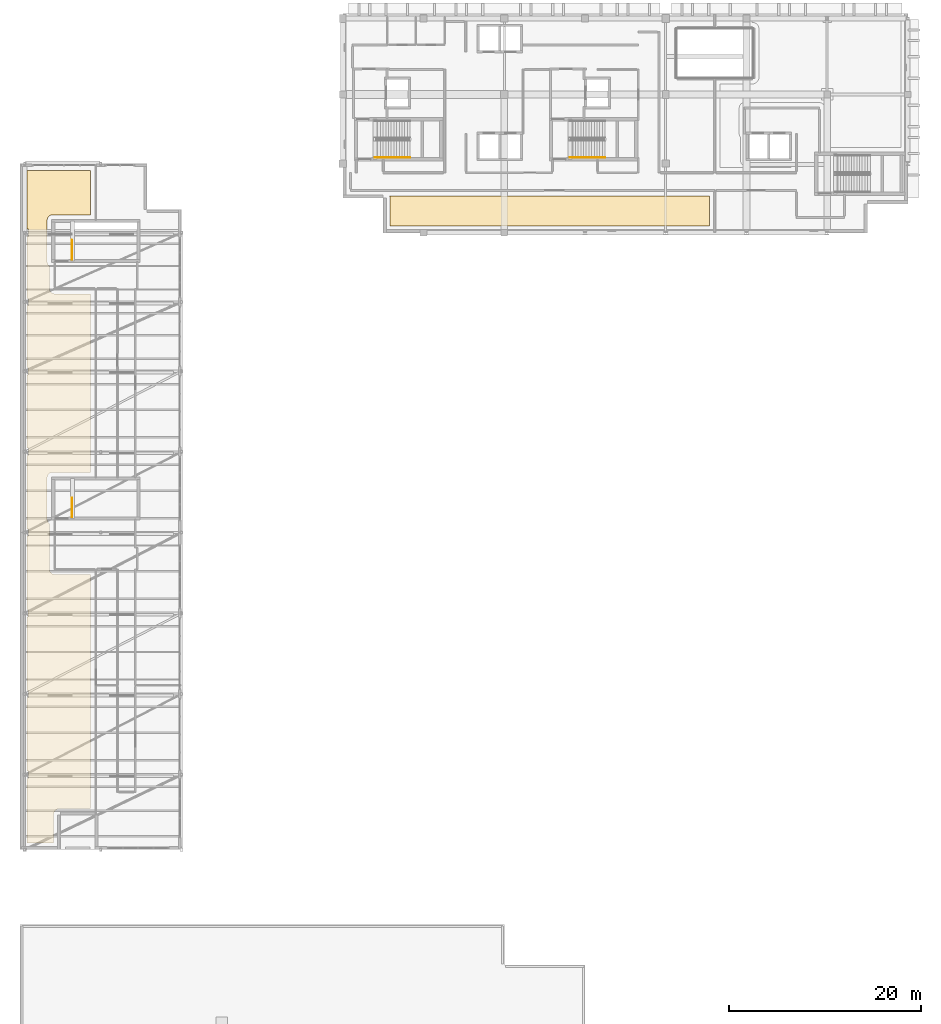
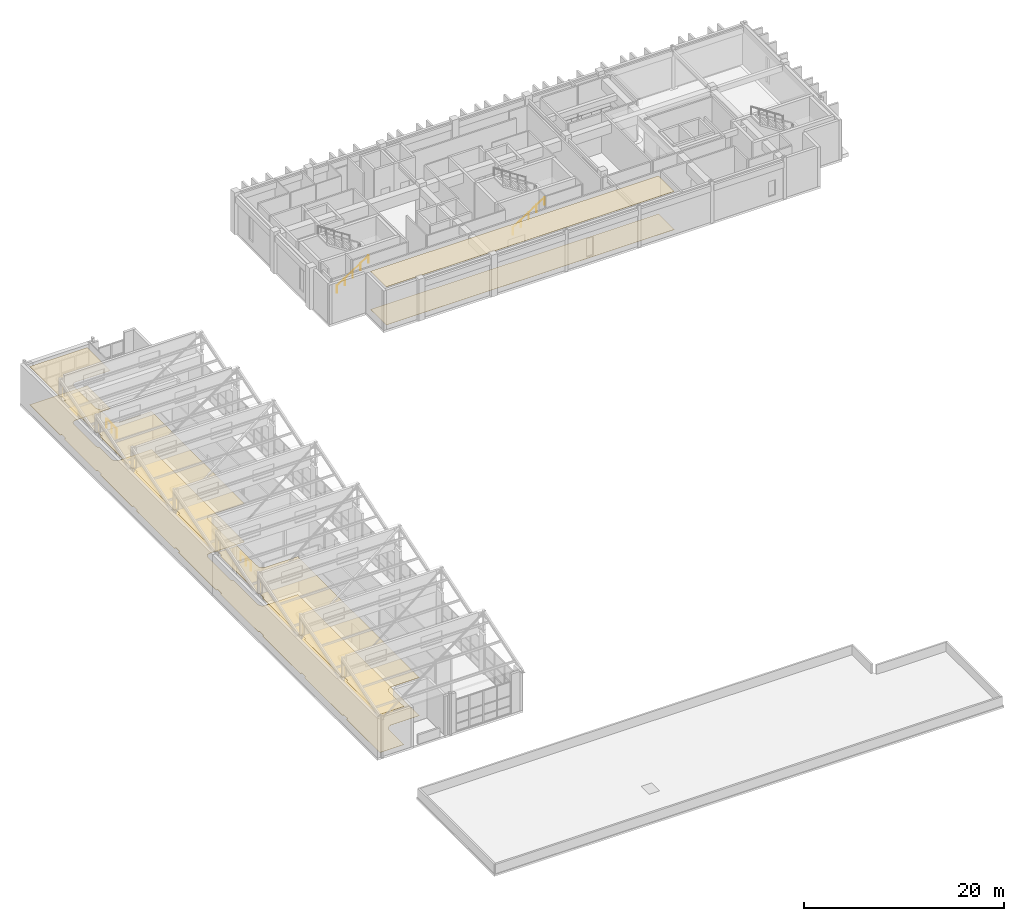
# One storey, part 32 of 34: 4 coverings, 4 railings.
"""IFC4 building model written with IfcOpenShell, lengths in metres."""

from ifc_helpers import new_model, si_unit, direction, frame, origin, origin_2d, place, context, subcontext, project, spatial, polyline, circle, outline, extrude, material, layer, layer_set, type_object, element, save


model = new_model("IFC4")

# Units and contexts
model_context = context("Model", 3, precision=1e-05, world=origin(), true_north=direction((0.0, 1.0)))
body_context = subcontext(model_context, "Body", "Model", "MODEL_VIEW")
ifc_project = project(units=[si_unit("LENGTHUNIT", "METRE"), si_unit("AREAUNIT", "SQUARE_METRE"), si_unit("VOLUMEUNIT", "CUBIC_METRE"), si_unit("PLANEANGLEUNIT", "RADIAN"), si_unit("MASSUNIT", "GRAM", prefix="KILO")], contexts=[model_context])

# Site, building, storey
site_placement = place(None, origin())
site = spatial("IfcSite", under=ifc_project, at=site_placement, CompositionType="ELEMENT")
building_placement = place(site_placement, origin())
building = spatial("IfcBuilding", under=site, at=building_placement, Name="Quendrovan Civic Courthouse", CompositionType="ELEMENT")
storey_placement = place(building_placement, frame((0.0, 0.0, 25.5)))
storey = spatial("IfcBuildingStorey", under=building, at=storey_placement, Name="L06", CompositionType="ELEMENT", Elevation=25.5)

# Coverings
ifc_material_1 = material(Name="Perforated Western Red Cedar and mineral acoustic ceiling")
ifc_layer_1 = layer(ifc_material_1, 0.034912109375, Name="Perforated Western Red Cedar and mineral acoustic ceiling")
ifc_layer_set_1 = layer_set([ifc_layer_1], Name="Perforated Western Red Cedar and mineral acoustic ceiling")
covering_type_1 = type_object("IfcCoveringType", Name="COV-CEIL-ACOUSTIC", PredefinedType="CEILING", material=ifc_layer_set_1)
covering_1_placement = place(storey_placement, frame((0.0, 0.0, 4.64501953125)))
element("IfcCovering", 1, at=covering_1_placement, inside=storey, type_object=covering_type_1, Name="L06 Sawtooth Law Library Reading Room Acoustic Ceiling", PredefinedType="CEILING", context=body_context, shape_type="SweptSolid", body=[
    extrude(outline(polyline([(3.5546875, 27.2958984375), (3.534423828125, 27.24658203125), (3.529052734375, 27.231689453125), (3.51318359375, 27.1796875), (3.509521484375, 27.16455078125), (3.4990234375, 27.11181640625), (3.496826171875, 27.096435546875), (3.491455078125, 27.043701171875), (3.49072265625, 27.028076171875), (3.489990234375, 27.0), (3.489990234375, 24.110107421875), (0.7099609375, 24.110107421875), (0.7099609375, 30.824951171875), (0.875, 30.824951171875), (0.875, 31.574951171875), (0.7099609375, 31.574951171875), (0.7099609375, 39.21337890625), (0.886474609375, 39.21337890625), (0.886474609375, 39.986572265625), (0.7099609375, 39.986572265625), (0.7099609375, 47.60009765625), (0.85009765625, 47.60009765625), (0.85009765625, 48.39990234375), (0.7099609375, 48.39990234375), (0.7099609375, 56.02490234375), (0.875, 56.02490234375), (0.875, 56.77490234375), (0.7099609375, 56.77490234375), (0.7099609375, 64.41357421875), (0.886474609375, 64.41357421875), (0.886474609375, 65.1865234375), (0.7099609375, 65.1865234375), (0.7099609375, 72.800048828125), (0.85009765625, 72.800048828125), (0.85009765625, 73.60009765625), (0.7099609375, 73.60009765625), (0.7099609375, 80.02490234375), (0.875, 80.02490234375), (0.875, 80.77490234375), (0.7099609375, 80.77490234375), (0.7099609375, 87.21337890625), (0.886474609375, 87.21337890625), (0.886474609375, 87.986572265625), (0.7099609375, 87.986572265625), (0.7099609375, 94.090087890625), (7.35009765625, 94.090087890625), (7.35009765625, 89.469970703125), (3.3798828125, 89.469970703125), (3.326171875, 89.46728515625), (3.272705078125, 89.45947265625), (3.22021484375, 89.4462890625), (3.16943359375, 89.427978515625), (3.12060546875, 89.405029296875), (3.074462890625, 89.377197265625), (3.031005859375, 89.34521484375), (2.9912109375, 89.308837890625), (2.954833984375, 89.268798828125), (2.922607421875, 89.2255859375), (2.89501953125, 89.17919921875), (2.871826171875, 89.130615234375), (2.853759765625, 89.07958984375), (2.840576171875, 89.02734375), (2.83251953125, 88.973876953125), (2.830078125, 88.919921875), (2.830078125, 84.580078125), (2.83251953125, 84.526123046875), (2.840576171875, 84.47265625), (2.853759765625, 84.42041015625), (2.871826171875, 84.369384765625), (2.89501953125, 84.32080078125), (2.922607421875, 84.2744140625), (2.954833984375, 84.231201171875), (2.9912109375, 84.191162109375), (3.031005859375, 84.15478515625), (3.050048828125, 84.140869140625), (3.050048828125, 81.800048828125), (3.052490234375, 81.74609375), (3.060546875, 81.692626953125), (3.07373046875, 81.640380859375), (3.091796875, 81.589599609375), (3.114990234375, 81.540771484375), (3.142578125, 81.494384765625), (3.1748046875, 81.451171875), (3.211181640625, 81.4111328125), (3.251220703125, 81.374755859375), (3.29443359375, 81.3427734375), (3.3408203125, 81.31494140625), (3.389404296875, 81.2919921875), (3.440185546875, 81.273681640625), (3.49267578125, 81.260498046875), (3.546142578125, 81.252685546875), (3.60009765625, 81.25), (7.35009765625, 81.25), (7.35009765625, 62.669921875), (3.3798828125, 62.669921875), (3.326171875, 62.66748046875), (3.272705078125, 62.659423828125), (3.22021484375, 62.646240234375), (3.16943359375, 62.628173828125), (3.12060546875, 62.60498046875), (3.074462890625, 62.577392578125), (3.031005859375, 62.545166015625), (2.9912109375, 62.5087890625), (2.954833984375, 62.468994140625), (2.922607421875, 62.425537109375), (2.89501953125, 62.37939453125), (2.871826171875, 62.33056640625), (2.853759765625, 62.27978515625), (2.840576171875, 62.227294921875), (2.83251953125, 62.173828125), (2.830078125, 62.1201171875), (2.830078125, 57.780029296875), (2.83251953125, 57.72607421875), (2.840576171875, 57.672607421875), (2.853759765625, 57.620361328125), (2.871826171875, 57.569580078125), (2.89501953125, 57.520751953125), (2.922607421875, 57.474365234375), (2.954833984375, 57.43115234375), (2.9912109375, 57.39111328125), (3.031005859375, 57.354736328125), (3.050048828125, 57.3408203125), (3.050048828125, 52.60009765625), (3.052490234375, 52.546142578125), (3.060546875, 52.49267578125), (3.07373046875, 52.440185546875), (3.091796875, 52.389404296875), (3.114990234375, 52.3408203125), (3.142578125, 52.29443359375), (3.1748046875, 52.251220703125), (3.211181640625, 52.211181640625), (3.251220703125, 52.1748046875), (3.29443359375, 52.142578125), (3.3408203125, 52.114990234375), (3.389404296875, 52.091796875), (3.440185546875, 52.07373046875), (3.49267578125, 52.060546875), (3.546142578125, 52.052490234375), (3.60009765625, 52.050048828125), (7.35009765625, 52.050048828125), (7.35009765625, 27.7099609375), (4.199951171875, 27.7099609375), (4.172119140625, 27.709228515625), (4.15625, 27.70849609375), (4.103515625, 27.703125), (4.088134765625, 27.700927734375), (4.035400390625, 27.6904296875), (4.020263671875, 27.686767578125), (3.96826171875, 27.6708984375), (3.953369140625, 27.66552734375), (3.904052734375, 27.645263671875), (3.889892578125, 27.638427734375), (3.841552734375, 27.61279296875), (3.828125, 27.6044921875), (3.784423828125, 27.575439453125), (3.77197265625, 27.566162109375), (3.7275390625, 27.52978515625), (3.7158203125, 27.51904296875), (3.680908203125, 27.484130859375), (3.67041015625, 27.472412109375), (3.6337890625, 27.427978515625), (3.62451171875, 27.41552734375), (3.595458984375, 27.371826171875), (3.58740234375, 27.3583984375), (3.5615234375, 27.31005859375), (3.5546875, 27.2958984375)])), origin(), (0.0, 0.0, 1.0), 0.034912109375),
])
covering_2_placement = place(storey_placement, frame((0.0, 0.0, 4.64501953125)))
element("IfcCovering", 2, at=covering_2_placement, inside=storey, type_object=covering_type_1, Name="L06 Family Courtroom Acoustic Ceiling", PredefinedType="CEILING", context=body_context, shape_type="SweptSolid", body=[
    extrude(outline(polyline([(38.50927734375, 91.22802734375), (38.508544921875, 91.24365234375), (38.503173828125, 91.29638671875), (38.5009765625, 91.31201171875), (38.490478515625, 91.364501953125), (38.48681640625, 91.3798828125), (38.470947265625, 91.431884765625), (38.465576171875, 91.446533203125), (38.464111328125, 91.449951171875), (71.75, 91.449951171875), (71.75, 88.31005859375), (38.510009765625, 88.31005859375), (38.510009765625, 91.199951171875), (38.50927734375, 91.22802734375)])), origin(), (0.0, 0.0, 1.0), 0.034912109375),
])
ifc_material_2 = material(Name="Honed Dominican coralina limestone flooring", Category="masonry")
ifc_layer_2 = layer(ifc_material_2, 0.030029296875, Name="Honed Dominican coralina limestone flooring")
ifc_layer_set_2 = layer_set([ifc_layer_2], Name="Honed Dominican coralina limestone flooring")
covering_type_2 = type_object("IfcCoveringType", Name="COV-FLOR-STONE", PredefinedType="FLOORING", material=ifc_layer_set_2)
covering_3_placement = place(storey_placement, origin())
element("IfcCovering", 3, at=covering_3_placement, inside=storey, type_object=covering_type_2, Name="L06 Sawtooth Law Library Reading Room Finish Flooring", PredefinedType="FLOORING", context=body_context, shape_type="SweptSolid", body=[
    extrude(outline(polyline([(3.5546875, 27.2958984375), (3.534423828125, 27.24658203125), (3.529052734375, 27.231689453125), (3.51318359375, 27.1796875), (3.509521484375, 27.16455078125), (3.4990234375, 27.11181640625), (3.496826171875, 27.096435546875), (3.491455078125, 27.043701171875), (3.49072265625, 27.028076171875), (3.489990234375, 27.0), (3.489990234375, 24.110107421875), (0.7099609375, 24.110107421875), (0.7099609375, 30.824951171875), (0.875, 30.824951171875), (0.875, 31.574951171875), (0.7099609375, 31.574951171875), (0.7099609375, 39.21337890625), (0.886474609375, 39.21337890625), (0.886474609375, 39.986572265625), (0.7099609375, 39.986572265625), (0.7099609375, 47.60009765625), (0.85009765625, 47.60009765625), (0.85009765625, 48.39990234375), (0.7099609375, 48.39990234375), (0.7099609375, 56.02490234375), (0.875, 56.02490234375), (0.875, 56.77490234375), (0.7099609375, 56.77490234375), (0.7099609375, 64.41357421875), (0.886474609375, 64.41357421875), (0.886474609375, 65.1865234375), (0.7099609375, 65.1865234375), (0.7099609375, 72.800048828125), (0.85009765625, 72.800048828125), (0.85009765625, 73.60009765625), (0.7099609375, 73.60009765625), (0.7099609375, 80.02490234375), (0.875, 80.02490234375), (0.875, 80.77490234375), (0.7099609375, 80.77490234375), (0.7099609375, 87.21337890625), (0.886474609375, 87.21337890625), (0.886474609375, 87.986572265625), (0.7099609375, 87.986572265625), (0.7099609375, 94.090087890625), (7.35009765625, 94.090087890625), (7.35009765625, 89.469970703125), (3.3798828125, 89.469970703125), (3.326171875, 89.46728515625), (3.272705078125, 89.45947265625), (3.22021484375, 89.4462890625), (3.16943359375, 89.427978515625), (3.12060546875, 89.405029296875), (3.074462890625, 89.377197265625), (3.031005859375, 89.34521484375), (2.9912109375, 89.308837890625), (2.954833984375, 89.268798828125), (2.922607421875, 89.2255859375), (2.89501953125, 89.17919921875), (2.871826171875, 89.130615234375), (2.853759765625, 89.07958984375), (2.840576171875, 89.02734375), (2.83251953125, 88.973876953125), (2.830078125, 88.919921875), (2.830078125, 84.580078125), (2.83251953125, 84.526123046875), (2.840576171875, 84.47265625), (2.853759765625, 84.42041015625), (2.871826171875, 84.369384765625), (2.89501953125, 84.32080078125), (2.922607421875, 84.2744140625), (2.954833984375, 84.231201171875), (2.9912109375, 84.191162109375), (3.031005859375, 84.15478515625), (3.050048828125, 84.140869140625), (3.050048828125, 81.800048828125), (3.052490234375, 81.74609375), (3.060546875, 81.692626953125), (3.07373046875, 81.640380859375), (3.091796875, 81.589599609375), (3.114990234375, 81.540771484375), (3.142578125, 81.494384765625), (3.1748046875, 81.451171875), (3.211181640625, 81.4111328125), (3.251220703125, 81.374755859375), (3.29443359375, 81.3427734375), (3.3408203125, 81.31494140625), (3.389404296875, 81.2919921875), (3.440185546875, 81.273681640625), (3.49267578125, 81.260498046875), (3.546142578125, 81.252685546875), (3.60009765625, 81.25), (7.35009765625, 81.25), (7.35009765625, 62.669921875), (3.3798828125, 62.669921875), (3.326171875, 62.66748046875), (3.272705078125, 62.659423828125), (3.22021484375, 62.646240234375), (3.16943359375, 62.628173828125), (3.12060546875, 62.60498046875), (3.074462890625, 62.577392578125), (3.031005859375, 62.545166015625), (2.9912109375, 62.5087890625), (2.954833984375, 62.468994140625), (2.922607421875, 62.425537109375), (2.89501953125, 62.37939453125), (2.871826171875, 62.33056640625), (2.853759765625, 62.27978515625), (2.840576171875, 62.227294921875), (2.83251953125, 62.173828125), (2.830078125, 62.1201171875), (2.830078125, 57.780029296875), (2.83251953125, 57.72607421875), (2.840576171875, 57.672607421875), (2.853759765625, 57.620361328125), (2.871826171875, 57.569580078125), (2.89501953125, 57.520751953125), (2.922607421875, 57.474365234375), (2.954833984375, 57.43115234375), (2.9912109375, 57.39111328125), (3.031005859375, 57.354736328125), (3.050048828125, 57.3408203125), (3.050048828125, 52.60009765625), (3.052490234375, 52.546142578125), (3.060546875, 52.49267578125), (3.07373046875, 52.440185546875), (3.091796875, 52.389404296875), (3.114990234375, 52.3408203125), (3.142578125, 52.29443359375), (3.1748046875, 52.251220703125), (3.211181640625, 52.211181640625), (3.251220703125, 52.1748046875), (3.29443359375, 52.142578125), (3.3408203125, 52.114990234375), (3.389404296875, 52.091796875), (3.440185546875, 52.07373046875), (3.49267578125, 52.060546875), (3.546142578125, 52.052490234375), (3.60009765625, 52.050048828125), (7.35009765625, 52.050048828125), (7.35009765625, 27.7099609375), (4.199951171875, 27.7099609375), (4.172119140625, 27.709228515625), (4.15625, 27.70849609375), (4.103515625, 27.703125), (4.088134765625, 27.700927734375), (4.035400390625, 27.6904296875), (4.020263671875, 27.686767578125), (3.96826171875, 27.6708984375), (3.953369140625, 27.66552734375), (3.904052734375, 27.645263671875), (3.889892578125, 27.638427734375), (3.841552734375, 27.61279296875), (3.828125, 27.6044921875), (3.784423828125, 27.575439453125), (3.77197265625, 27.566162109375), (3.7275390625, 27.52978515625), (3.7158203125, 27.51904296875), (3.680908203125, 27.484130859375), (3.67041015625, 27.472412109375), (3.6337890625, 27.427978515625), (3.62451171875, 27.41552734375), (3.595458984375, 27.371826171875), (3.58740234375, 27.3583984375), (3.5615234375, 27.31005859375), (3.5546875, 27.2958984375)])), origin(), (0.0, 0.0, 1.0), 0.030029296875),
])
ifc_material_3 = material(Name="Solid oak courtroom parquet flooring")
ifc_layer_3 = layer(ifc_material_3, 0.02490234375, Name="Solid oak courtroom parquet flooring")
ifc_layer_set_3 = layer_set([ifc_layer_3], Name="Solid oak courtroom parquet flooring")
covering_type_3 = type_object("IfcCoveringType", Name="COV-FLOR-TIMBER", PredefinedType="FLOORING", material=ifc_layer_set_3)
covering_4_placement = place(storey_placement, origin())
element("IfcCovering", 4, at=covering_4_placement, inside=storey, type_object=covering_type_3, Name="L06 Family Courtroom Finish Flooring", PredefinedType="FLOORING", context=body_context, shape_type="SweptSolid", body=[
    extrude(outline(polyline([(38.50927734375, 91.22802734375), (38.508544921875, 91.24365234375), (38.503173828125, 91.29638671875), (38.5009765625, 91.31201171875), (38.490478515625, 91.364501953125), (38.48681640625, 91.3798828125), (38.470947265625, 91.431884765625), (38.465576171875, 91.446533203125), (38.464111328125, 91.449951171875), (71.75, 91.449951171875), (71.75, 88.31005859375), (38.510009765625, 88.31005859375), (38.510009765625, 91.199951171875), (38.50927734375, 91.22802734375)])), origin(), (0.0, 0.0, 1.0), 0.02490234375),
])

# Railings
ifc_material_4 = material(Name="Painted galvanized steel", Category="steel")
railing_type_1 = type_object("IfcRailingType", Name="RL-STR-GUARD1100", PredefinedType="GUARDRAIL", material=ifc_material_4)
for number, where, name in (
    (5, (5.39990234375, 58.0, 0.0), "L06 ST4 top well guard 1"),
    (6, (5.39990234375, 84.800048828125, 0.0), "L06 ST8 top well guard 1"),
):
    element("IfcRailing", number, at=place(storey_placement, frame(where)), inside=storey, type_object=railing_type_1, Name=name, PredefinedType="GUARDRAIL", context=body_context, shape_type="SweptSolid", body=[
        extrude(circle(Radius=0.02392578125, at=origin_2d()), frame((0.0, 0.0, 1.076171875), z_axis=(0.0, 1.0, 0.0), x_axis=(-1.0, 0.0, 0.0)), (0.0, 0.0, 1.0), 2.030029296875),
        extrude(circle(Radius=0.02099609375, at=origin_2d()), origin(), (0.0, 0.0, 1.0), 1.052001953125),
        extrude(circle(Radius=0.02099609375, at=origin_2d()), frame((0.0, 1.01513671875, 0.0)), (0.0, 0.0, 1.0), 1.052001953125),
        extrude(circle(Radius=0.02099609375, at=origin_2d()), frame((0.0, 2.030029296875, 0.0)), (0.0, 0.0, 1.0), 1.052001953125),
    ])
ifc_material_5 = material(Name="Bronze anodised aluminium", Category="aluminium")
railing_type_2 = type_object("IfcRailingType", Name="RL-STR-HAND900", PredefinedType="HANDRAIL", material=ifc_material_5)
railing_1_placement = place(storey_placement, frame((36.949951171875, 95.449951171875, 0.18212890625)))
element("IfcRailing", 7, at=railing_1_placement, inside=storey, type_object=railing_type_2, Name="L06 ST1 stair handrail 1", PredefinedType="HANDRAIL", context=body_context, shape_type="SweptSolid", body=[
    extrude(circle(Radius=0.02392578125, at=origin_2d()), frame((0.0, 0.0, 0.8759765625), z_axis=(0.83825089185, 0.0, 0.545284735081), x_axis=(0.0, 1.0, 0.0)), (0.0, 0.0, 1.0), 4.342529296875),
    extrude(circle(Radius=0.02099609375, at=origin_2d()), origin(), (0.0, 0.0, 1.0), 0.851806640625),
    extrude(circle(Radius=0.02099609375, at=origin_2d()), frame((0.91015625, 0.0, 0.592041015625)), (0.0, 0.0, 1.0), 0.851806640625),
    extrude(circle(Radius=0.02099609375, at=origin_2d()), frame((1.820068359375, 0.0, 1.18408203125)), (0.0, 0.0, 1.0), 0.851806640625),
    extrude(circle(Radius=0.02099609375, at=origin_2d()), frame((2.72998046875, 0.0, 1.77587890625)), (0.0, 0.0, 1.0), 0.851806640625),
    extrude(circle(Radius=0.02099609375, at=origin_2d()), frame((3.64013671875, 0.0, 2.367919921875)), (0.0, 0.0, 1.0), 0.851806640625),
])
railing_2_placement = place(storey_placement, frame((57.25, 95.449951171875, 0.18212890625)))
element("IfcRailing", 8, at=railing_2_placement, inside=storey, type_object=railing_type_2, Name="L06 ST2 stair handrail 1", PredefinedType="HANDRAIL", context=body_context, shape_type="SweptSolid", body=[
    extrude(circle(Radius=0.02392578125, at=origin_2d()), frame((0.0, 0.0, 0.8759765625), z_axis=(0.838234174257, 0.0, 0.545310433706), x_axis=(0.0, 1.0, 0.0)), (0.0, 0.0, 1.0), 4.34228515625),
    extrude(circle(Radius=0.02099609375, at=origin_2d()), origin(), (0.0, 0.0, 1.0), 0.851806640625),
    extrude(circle(Radius=0.02099609375, at=origin_2d()), frame((0.909912109375, 0.0, 0.592041015625)), (0.0, 0.0, 1.0), 0.851806640625),
    extrude(circle(Radius=0.02099609375, at=origin_2d()), frame((1.81982421875, 0.0, 1.18408203125)), (0.0, 0.0, 1.0), 0.851806640625),
    extrude(circle(Radius=0.02099609375, at=origin_2d()), frame((2.72998046875, 0.0, 1.77587890625)), (0.0, 0.0, 1.0), 0.851806640625),
    extrude(circle(Radius=0.02099609375, at=origin_2d()), frame((3.639892578125, 0.0, 2.367919921875)), (0.0, 0.0, 1.0), 0.851806640625),
])

save(model, "model.ifc")
